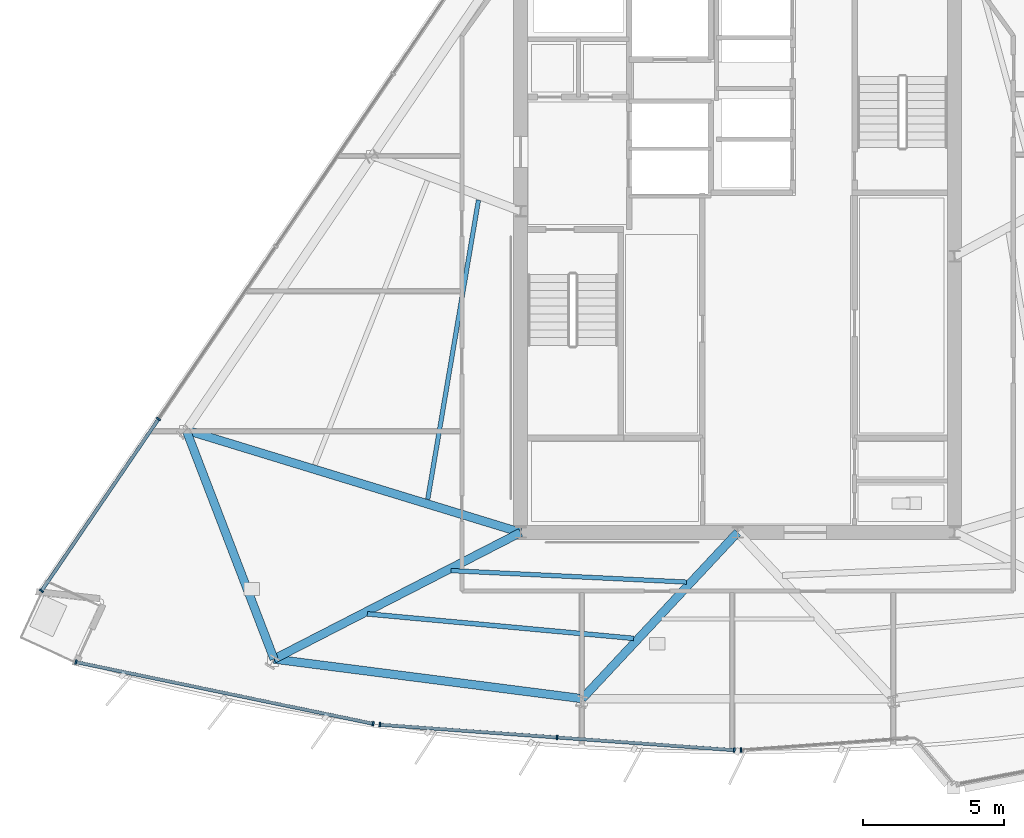
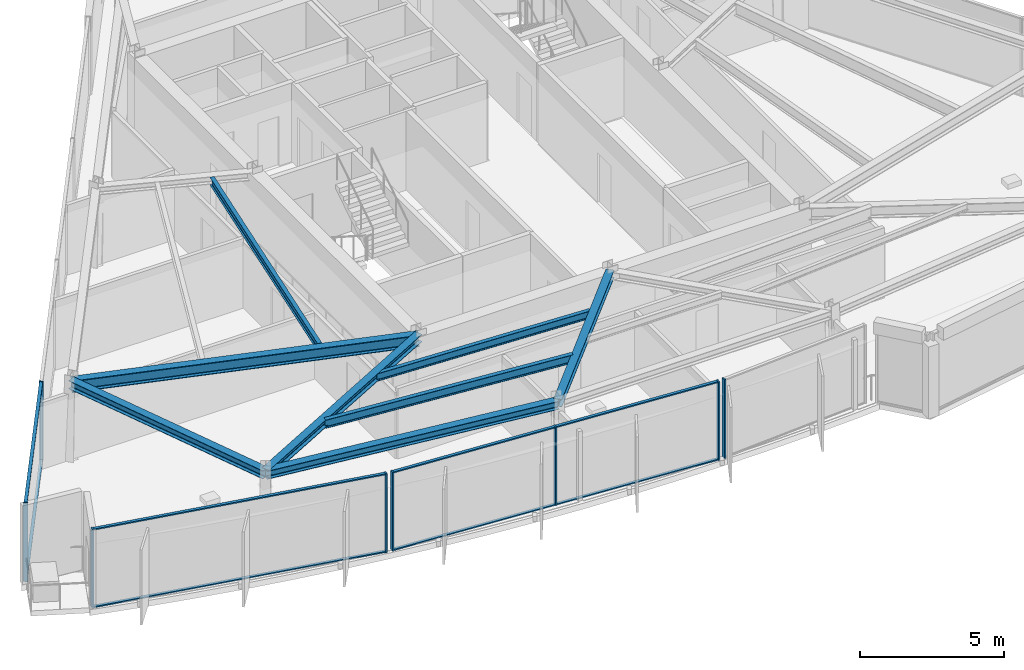
# One storey, part 2 of 14: 16 members, 8 beams, 4 elements without a shape of their own.
"""IFC4 building model written with IfcOpenShell, lengths in metres."""

import ifcopenshell
import ifcopenshell.guid

model = None  # the IFC model being written
_history = None  # IfcOwnerHistory: only IFC2X3 demands one
_inside = {}  # id of a spatial element -> (the spatial element, [elements in it])
_under = {}  # id of a project, library or spatial element -> (it, [spatial elements below it])
_declared = {}  # id of a project -> (the project, [libraries it declares])
_typed = {}  # id of a type object -> (the type object, [elements of that type])
_made_of = {}  # id of a material, layer set ... -> (it, [elements and type objects made of it])


def new_model(schema):
    """Start an empty IFC model of exactly this schema.

    Asked for "IFC4X3", IfcOpenShell would pick the latest addendum, in which some entities
    have other attributes; the version numbers below select the first issue.
    IFC2X3 requires an IfcOwnerHistory on every rooted entity: one is made here for all.
    """
    global model, _history
    if schema == "IFC4X3":
        model = ifcopenshell.file(schema_version=(4, 3, 0, 0))
    else:
        model = ifcopenshell.file(schema=schema)
    _inside.clear()
    _under.clear()
    _declared.clear()
    _typed.clear()
    _made_of.clear()
    _history = None
    if model.schema == "IFC2X3":
        org = make("IfcOrganization", Name="unknown")
        user = make(
            "IfcPersonAndOrganization",
            ThePerson=make("IfcPerson", FamilyName="unknown"),
            TheOrganization=org,
        )
        app = make(
            "IfcApplication",
            ApplicationDeveloper=org,
            Version="unknown",
            ApplicationFullName="unknown",
            ApplicationIdentifier="unknown",
        )
        _history = make(
            "IfcOwnerHistory",
            OwningUser=user,
            OwningApplication=app,
            ChangeAction="ADDED",
            CreationDate=0,
        )
    return model


def make(cls, **values):
    """One entity of the class cls with the attributes given. An attribute that is None is left unset."""
    return model.create_entity(
        cls, **{name: value for name, value in values.items() if value is not None}
    )


def rooted(cls, **values):
    """An entity with a GlobalId (a new one), such as an element, a storey or a relation."""
    return make(cls, GlobalId=ifcopenshell.guid.new(), OwnerHistory=_history, **values)


def si_unit(unit_type, name, prefix=None):
    """IfcSIUnit, for example si_unit("LENGTHUNIT", "METRE", prefix="MILLI")."""
    return make("IfcSIUnit", UnitType=unit_type, Prefix=prefix, Name=name)


def assignment(units):
    """IfcUnitAssignment: the units of a project."""
    return None if units is None else make("IfcUnitAssignment", Units=units)


def point(xyz):
    """IfcCartesianPoint."""
    return None if xyz is None else make("IfcCartesianPoint", Coordinates=xyz)


def direction(xyz):
    """IfcDirection."""
    return None if xyz is None else make("IfcDirection", DirectionRatios=xyz)


def frame(location, z_axis=None, x_axis=None):
    """IfcAxis2Placement3D, a coordinate frame: its origin and axes. An axis left out is left unset."""
    return make(
        "IfcAxis2Placement3D",
        Location=point(location),
        Axis=direction(z_axis),
        RefDirection=direction(x_axis),
    )


def frame_2d(location, x_axis=None):
    """IfcAxis2Placement2D, a coordinate frame in the plane: its origin and x axis."""
    return make(
        "IfcAxis2Placement2D", Location=point(location), RefDirection=direction(x_axis)
    )


def origin():
    """The frame at (0, 0, 0) with its axes left unset."""
    return frame((0.0, 0.0, 0.0))


def origin_2d():
    """The frame at (0, 0) in the plane with its x axis left unset."""
    return frame_2d((0.0, 0.0))


def place(relative_to, where):
    """IfcLocalPlacement: puts the frame where relative to a parent placement (None: the world)."""
    return make(
        "IfcLocalPlacement", PlacementRelTo=relative_to, RelativePlacement=where
    )


def context(
    kind, dimensions, precision=None, world=None, true_north=None, identifier=None
):
    """IfcGeometricRepresentationContext, for example the 3D "Model" context."""
    return make(
        "IfcGeometricRepresentationContext",
        ContextIdentifier=identifier,
        ContextType=kind,
        CoordinateSpaceDimension=dimensions,
        Precision=precision,
        WorldCoordinateSystem=world,
        TrueNorth=true_north,
    )


def subcontext(parent, identifier, kind, view, scale=None):
    """IfcGeometricRepresentationSubContext, for example "Body" below "Model"."""
    return make(
        "IfcGeometricRepresentationSubContext",
        ContextIdentifier=identifier,
        ContextType=kind,
        ParentContext=parent,
        TargetScale=scale,
        TargetView=view,
    )


def project(units=None, contexts=None):
    """IfcProject with its units and contexts."""
    return rooted(
        "IfcProject",
        Name="project",
        RepresentationContexts=contexts,
        UnitsInContext=assignment(units),
    )


def spatial(cls, under=None, at=None, **own):
    """A site, building, storey or space (cls), placed at a placement, below another one or the project."""
    s = rooted(cls, ObjectPlacement=at, **own)
    if under is not None:
        _under.setdefault(under.id(), (under, []))[1].append(s)
    return s


def profile(cls, at=None, kind="AREA", **sizes):
    """A parametric profile (cls). Its sizes go by their IFC names, for example OverallWidth=200.0."""
    return make(cls, ProfileType=kind, Position=at, **sizes)


def rectangle(**sizes):
    """IfcRectangleProfileDef."""
    return profile("IfcRectangleProfileDef", **sizes)


def i_section(**sizes):
    """IfcIShapeProfileDef."""
    return profile("IfcIShapeProfileDef", **sizes)


def extrude(swept, where, along, depth):
    """IfcExtrudedAreaSolid: the profile swept, set in the frame where, extruded along a direction by depth."""
    return make(
        "IfcExtrudedAreaSolid",
        SweptArea=swept,
        Position=where,
        ExtrudedDirection=direction(along),
        Depth=depth,
    )


def shape(context_of_items, identifier, shape_type, items):
    """IfcShapeRepresentation: the items that make up one representation, for example the "Body"."""
    return make(
        "IfcShapeRepresentation",
        ContextOfItems=context_of_items,
        RepresentationIdentifier=identifier,
        RepresentationType=shape_type,
        Items=items,
    )


def material(Name=None, Category=None):
    """IfcMaterial."""
    return make("IfcMaterial", Name=Name, Category=Category)


def material_profile(
    of_material, cross_section, Name=None, Category=None, Priority=None
):
    """IfcMaterialProfile: a cross section and its material."""
    return make(
        "IfcMaterialProfile",
        Name=Name,
        Material=of_material,
        Profile=cross_section,
        Priority=Priority,
        Category=Category,
    )


def profile_set(profiles, Name=None, composite=None):
    """IfcMaterialProfileSet."""
    return make(
        "IfcMaterialProfileSet",
        Name=Name,
        MaterialProfiles=profiles,
        CompositeProfile=composite,
    )


def made_of(thing, what):
    """Note that an element or type object is made of a material, layer set ...; save() writes the relation."""
    if what is not None:
        _made_of.setdefault(what.id(), (what, []))[1].append(thing)
    return thing


def type_object(cls, material=None, **own):
    """A type object (cls), such as IfcWallType, which elements share."""
    return made_of(rooted(cls, **own), material)


def element(
    cls,
    number,
    at=None,
    inside=None,
    cuts=None,
    type_object=None,
    material=None,
    context=None,
    identifier="Body",
    shape_type=None,
    held_by="IfcProductDefinitionShape",
    body=None,
    shapes=None,
    **own,
):
    """One element of the class cls, such as IfcWall. Its Tag is "e" and its number.

    at: its placement. inside: the storey or other place that contains it. cuts: it is an
    opening in that element (IfcRelVoidsElement). A single representation is given by context,
    identifier, shape_type and body (its items); several are given by shapes. held_by: the class
    of the entity that holds the representations. save() writes the other relations.
    """
    e = rooted(cls, Tag="e%d" % number, ObjectPlacement=at, **own)
    if body is not None:
        shapes = [shape(context, identifier, shape_type, body)]
    if shapes is not None:
        e.Representation = make(held_by, Representations=shapes)
    if inside is not None:
        _inside.setdefault(inside.id(), (inside, []))[1].append(e)
    if cuts is not None:
        rooted(
            "IfcRelVoidsElement", RelatingBuildingElement=cuts, RelatedOpeningElement=e
        )
    if type_object is not None:
        _typed.setdefault(type_object.id(), (type_object, []))[1].append(e)
    return made_of(e, material)


def aggregate(whole, parts):
    """IfcRelAggregates: a whole, such as a stair, and the parts it consists of."""
    return rooted("IfcRelAggregates", RelatingObject=whole, RelatedObjects=parts)


def save(model, path):
    """Write the relations noted so far, then the file.

    IfcRelAggregates (storeys below a building ...), IfcRelContainedInSpatialStructure (elements
    in a storey), IfcRelDefinesByType, IfcRelAssociatesMaterial and IfcRelDeclares: one each for
    every whole, place, type object, material and project.
    """
    for whole, parts in _under.values():
        aggregate(whole, parts)
    for where, things in _inside.values():
        rooted(
            "IfcRelContainedInSpatialStructure",
            RelatedElements=things,
            RelatingStructure=where,
        )
    for kind, things in _typed.values():
        rooted("IfcRelDefinesByType", RelatedObjects=things, RelatingType=kind)
    for what, things in _made_of.values():
        rooted("IfcRelAssociatesMaterial", RelatedObjects=things, RelatingMaterial=what)
    for by, libraries in _declared.values():
        rooted("IfcRelDeclares", RelatingContext=by, RelatedDefinitions=libraries)
    model.write(path)


model = new_model("IFC4")

# Units and contexts
model_context = context("Model", 3, precision=1e-05, world=origin(), true_north=direction((0.0, 1.0)))
body_context = subcontext(model_context, "Body", "Model", "MODEL_VIEW")
ifc_project = project(units=[si_unit("LENGTHUNIT", "METRE"), si_unit("AREAUNIT", "SQUARE_METRE"), si_unit("VOLUMEUNIT", "CUBIC_METRE"), si_unit("PLANEANGLEUNIT", "RADIAN"), si_unit("MASSUNIT", "GRAM", prefix="KILO")], contexts=[model_context])

# Site, building, storey
site_placement = place(None, origin())
site = spatial("IfcSite", under=ifc_project, at=site_placement, CompositionType="ELEMENT")
building_placement = place(site_placement, origin())
building = spatial("IfcBuilding", under=site, at=building_placement, Name="Savorim Split Tower", CompositionType="ELEMENT")
storey_placement = place(building_placement, frame((0.0, 0.0, 219.89990234375)))
storey = spatial("IfcBuildingStorey", under=building, at=storey_placement, Name="L58", CompositionType="ELEMENT", Elevation=219.89990234375)

# Beams
ifc_material_1 = material(Name="Steel S355", Category="steel")
ifc_material_profile_1 = material_profile(ifc_material_1, i_section(OverallWidth=0.159912109375, OverallDepth=0.330078125, WebThickness=0.007568359375, FlangeThickness=0.011474609375, FilletRadius=0.01806640625, at=origin_2d()), Name="IPE 330")
ifc_profile_set_1 = profile_set([ifc_material_profile_1], Name="Steel S355")
beam_type_1 = type_object("IfcBeamType", Name="BM-JST-IPE330", PredefinedType="JOIST", material=ifc_profile_set_1)
beam_1_placement = place(storey_placement, frame((-10.16455078125, -10.756103515625, 3.18505859375), z_axis=(0.998823036946, -0.04850299852, 0.0), x_axis=(0.04850299852, 0.998823036946, 0.0)))
element("IfcBeam", 1, at=beam_1_placement, inside=storey, type_object=beam_type_1, Name="L58 Secondary Floor Joist JS-02", PredefinedType="JOIST", context=body_context, shape_type="SweptSolid", body=[
    extrude(i_section(OverallWidth=0.159912109375, OverallDepth=0.330078125, WebThickness=0.007568359375, FlangeThickness=0.011474609375, FilletRadius=0.01806640625, at=origin_2d()), origin(), (0.0, 0.0, 1.0), 8.360595703125),
])
beam_2_placement = place(storey_placement, frame((-9.19384765625, 2.39501953125, 3.18505859375), z_axis=(-0.16730538617, -0.985905121073, 0.0), x_axis=(0.985905121073, -0.16730538617, 0.0)))
element("IfcBeam", 2, at=beam_2_placement, inside=storey, type_object=beam_type_1, Name="L58 Secondary Floor Joist JS-11", PredefinedType="JOIST", context=body_context, shape_type="SweptSolid", body=[
    extrude(i_section(OverallWidth=0.159912109375, OverallDepth=0.330078125, WebThickness=0.007568359375, FlangeThickness=0.011474609375, FilletRadius=0.01806640625, at=origin_2d()), origin(), (0.0, 0.0, 1.0), 10.772216796875),
])
ifc_material_profile_2 = material_profile(ifc_material_1, i_section(OverallWidth=0.169921875, OverallDepth=0.360107421875, WebThickness=0.008056640625, FlangeThickness=0.0126953125, FilletRadius=0.01806640625, at=origin_2d()), Name="IPE 360")
ifc_profile_set_2 = profile_set([ifc_material_profile_2], Name="Steel S355")
beam_type_2 = type_object("IfcBeamType", Name="BM-JST-IPE360", PredefinedType="JOIST", material=ifc_profile_set_2)
beam_3_placement = place(storey_placement, frame((-13.139404296875, -12.291015625, 3.170166015625), z_axis=(0.995796506706, -0.091593216076, 0.0), x_axis=(0.091593216076, 0.995796506706, 0.0)))
element("IfcBeam", 3, at=beam_3_placement, inside=storey, type_object=beam_type_2, Name="L58 Secondary Floor Joist JS-01", PredefinedType="JOIST", context=body_context, shape_type="SweptSolid", body=[
    extrude(i_section(OverallWidth=0.169921875, OverallDepth=0.360107421875, WebThickness=0.008056640625, FlangeThickness=0.0126953125, FilletRadius=0.01806640625, at=origin_2d()), origin(), (0.0, 0.0, 1.0), 9.49169921875),
])
ifc_material_profile_3 = material_profile(ifc_material_1, i_section(OverallWidth=0.300048828125, OverallDepth=0.320068359375, WebThickness=0.011474609375, FlangeThickness=0.0205078125, FilletRadius=0.027099609375, at=origin_2d()), Name="HEB 320")
ifc_profile_set_3 = profile_set([ifc_material_profile_3], Name="Steel S355")
beam_type_3 = type_object("IfcBeamType", Name="BM-PRI-HEB320", PredefinedType="BEAM", material=ifc_profile_set_3)
beam_4_placement = place(storey_placement, frame((-16.447998046875, -13.894287109375, 3.190185546875), z_axis=(0.889478397025, 0.45697722178, 0.0), x_axis=(-0.45697722178, 0.889478397025, 0.0)))
element("IfcBeam", 4, at=beam_4_placement, inside=storey, type_object=beam_type_3, Name="L58 Primary Floor Girder RG-01", PredefinedType="BEAM", context=body_context, shape_type="SweptSolid", body=[
    extrude(i_section(OverallWidth=0.300048828125, OverallDepth=0.320068359375, WebThickness=0.011474609375, FlangeThickness=0.0205078125, FilletRadius=0.027099609375, at=origin_2d()), origin(), (0.0, 0.0, 1.0), 9.8349609375),
])
beam_5_placement = place(storey_placement, frame((-5.5126953125, -15.29833984375, 3.190185546875), z_axis=(0.682813709527, 0.73059252534, 0.0), x_axis=(-0.73059252534, 0.682813709527, 0.0)))
element("IfcBeam", 5, at=beam_5_placement, inside=storey, type_object=beam_type_3, Name="L58 Primary Floor Girder RG-02", PredefinedType="BEAM", context=body_context, shape_type="SweptSolid", body=[
    extrude(i_section(OverallWidth=0.300048828125, OverallDepth=0.320068359375, WebThickness=0.011474609375, FlangeThickness=0.0205078125, FilletRadius=0.027099609375, at=origin_2d()), origin(), (0.0, 0.0, 1.0), 8.073486328125),
])
ifc_material_profile_4 = material_profile(ifc_material_1, i_section(OverallWidth=0.300048828125, OverallDepth=0.5, WebThickness=0.014404296875, FlangeThickness=0.028076171875, FilletRadius=0.027099609375, at=origin_2d()), Name="HEB 500")
ifc_profile_set_4 = profile_set([ifc_material_profile_4], Name="Steel S355")
beam_type_4 = type_object("IfcBeamType", Name="BM-PRI-HEB500", PredefinedType="BEAM", material=ifc_profile_set_4)
beam_6_placement = place(storey_placement, frame((-19.56689453125, -5.767822265625, 3.10009765625), z_axis=(0.956214787215, -0.292665817463, 0.0), x_axis=(0.292665817463, 0.956214787215, 0.0)))
element("IfcBeam", 6, at=beam_6_placement, inside=storey, type_object=beam_type_4, Name="L58 Primary Floor Girder RG-10", PredefinedType="BEAM", context=body_context, shape_type="SweptSolid", body=[
    extrude(i_section(OverallWidth=0.300048828125, OverallDepth=0.5, WebThickness=0.014404296875, FlangeThickness=0.028076171875, FilletRadius=0.027099609375, at=origin_2d()), origin(), (0.0, 0.0, 1.0), 12.410400390625),
])
ifc_material_profile_5 = material_profile(ifc_material_1, i_section(OverallWidth=0.300048828125, OverallDepth=0.35009765625, WebThickness=0.010009765625, FlangeThickness=0.017578125, FilletRadius=0.027099609375, at=origin_2d()), Name="HEA 360")
ifc_profile_set_5 = profile_set([ifc_material_profile_5], Name="Steel S355")
beam_type_5 = type_object("IfcBeamType", Name="BM-SPN-HEA360", PredefinedType="SPANDREL", material=ifc_profile_set_5)
beam_7_placement = place(storey_placement, frame((-16.447998046875, -13.894287109375, 3.175048828125), z_axis=(0.991857726894, -0.127350891638, 0.0), x_axis=(0.127350891638, 0.991857726894, 0.0)))
element("IfcBeam", 7, at=beam_7_placement, inside=storey, type_object=beam_type_5, Name="L58 Perimeter Spandrel Beam 1", PredefinedType="SPANDREL", context=body_context, shape_type="SweptSolid", body=[
    extrude(i_section(OverallWidth=0.300048828125, OverallDepth=0.35009765625, WebThickness=0.010009765625, FlangeThickness=0.017578125, FilletRadius=0.027099609375, at=origin_2d()), origin(), (0.0, 0.0, 1.0), 11.025146484375),
])
beam_8_placement = place(storey_placement, frame((-19.56689453125, -5.767822265625, 3.175048828125), z_axis=(0.358311765923, -0.93360199143, 0.0), x_axis=(0.93360199143, 0.358311765923, 0.0)))
element("IfcBeam", 8, at=beam_8_placement, inside=storey, type_object=beam_type_5, Name="L58 Perimeter Spandrel Beam 10", PredefinedType="SPANDREL", context=body_context, shape_type="SweptSolid", body=[
    extrude(i_section(OverallWidth=0.300048828125, OverallDepth=0.35009765625, WebThickness=0.010009765625, FlangeThickness=0.017578125, FilletRadius=0.027099609375, at=origin_2d()), origin(), (0.0, 0.0, 1.0), 8.704345703125),
])

# Curtain wall, members
ifc_material_2 = material(Name="Dark Ceramic-Fritted Insulated Glass", Category="glass")
curtain_wall_type = type_object("IfcCurtainWallType", Name="CW-TWR-FRIT-B", PredefinedType="NOTDEFINED", material=ifc_material_2)
curtain_wall_1_placement = place(storey_placement, origin())
curtain_wall_1 = element("IfcCurtainWall", 9, at=curtain_wall_1_placement, inside=storey, type_object=curtain_wall_type, Name="L58 Curtain Wall CW-L58-SF1A", PredefinedType="NOTDEFINED")
ifc_material_3 = material(Name="Charcoal Anodised Aluminium", Category="aluminium")
ifc_material_profile_6 = material_profile(ifc_material_3, rectangle(XDim=0.159912109375, YDim=0.06005859375, at=origin_2d()), Name="ALU-M 160x60")
ifc_profile_set_6 = profile_set([ifc_material_profile_6], Name="Charcoal Anodised Aluminium")
member_type_1 = type_object("IfcMemberType", Name="CWM-160x60", PredefinedType="MULLION", material=ifc_profile_set_6)
member_1_placement = place(storey_placement, frame((-23.47705078125, -14.0, 0.0), z_axis=(0.0, 0.0, 1.0), x_axis=(0.203214786352, 0.979134184169, 0.0)))
member_1 = element("IfcMember", 10, at=member_1_placement, type_object=member_type_1, Name="CW-03 mullion 1", PredefinedType="MULLION", context=body_context, shape_type="SweptSolid", body=[
    extrude(rectangle(XDim=0.159912109375, YDim=0.06005859375, at=origin_2d()), origin(), (0.0, 0.0, 1.0), 3.35009765625),
])
member_2_placement = place(storey_placement, frame((-12.933349609375, -16.1884765625, 0.0), z_axis=(0.0, 0.0, 1.0), x_axis=(0.203214786352, 0.979134184169, 0.0)))
member_2 = element("IfcMember", 11, at=member_2_placement, type_object=member_type_1, Name="CW-03 mullion 2", PredefinedType="MULLION", context=body_context, shape_type="SweptSolid", body=[
    extrude(rectangle(XDim=0.159912109375, YDim=0.06005859375, at=origin_2d()), origin(), (0.0, 0.0, 1.0), 3.35009765625),
])

curtain_wall_2_placement = place(storey_placement, origin())
curtain_wall_2 = element("IfcCurtainWall", 12, at=curtain_wall_2_placement, inside=storey, type_object=curtain_wall_type, Name="L58 Curtain Wall CW-L58-SF2A", PredefinedType="NOTDEFINED")
member_3_placement = place(storey_placement, frame((-12.6923828125, -16.221923828125, 0.0), z_axis=(0.0, 0.0, 1.0), x_axis=(0.071560189997, 0.997436283282, 0.0)))
member_3 = element("IfcMember", 13, at=member_3_placement, type_object=member_type_1, Name="CW-03 mullion 1", PredefinedType="MULLION", context=body_context, shape_type="SweptSolid", body=[
    extrude(rectangle(XDim=0.159912109375, YDim=0.06005859375, at=origin_2d()), origin(), (0.0, 0.0, 1.0), 3.35009765625),
])
member_4_placement = place(storey_placement, frame((-6.40673828125, -16.6728515625, 0.0), z_axis=(0.0, 0.0, 1.0), x_axis=(0.071560189997, 0.997436283282, 0.0)))
member_4 = element("IfcMember", 14, at=member_4_placement, type_object=member_type_1, Name="CW-03 mullion 2", PredefinedType="MULLION", context=body_context, shape_type="SweptSolid", body=[
    extrude(rectangle(XDim=0.159912109375, YDim=0.06005859375, at=origin_2d()), origin(), (0.0, 0.0, 1.0), 3.35009765625),
])
member_5_placement = place(storey_placement, frame((-0.12109375, -17.123779296875, 0.0), z_axis=(0.0, 0.0, 1.0), x_axis=(0.071560189997, 0.997436283282, 0.0)))
member_5 = element("IfcMember", 15, at=member_5_placement, type_object=member_type_1, Name="CW-03 mullion 3", PredefinedType="MULLION", context=body_context, shape_type="SweptSolid", body=[
    extrude(rectangle(XDim=0.159912109375, YDim=0.06005859375, at=origin_2d()), origin(), (0.0, 0.0, 1.0), 3.35009765625),
])

# Curtain wall, member
curtain_wall_3_placement = place(storey_placement, origin())
curtain_wall_3 = element("IfcCurtainWall", 16, at=curtain_wall_3_placement, inside=storey, type_object=curtain_wall_type, Name="L58 Curtain Wall CW-L58-SF3A", PredefinedType="NOTDEFINED")
member_6_placement = place(storey_placement, frame((0.12109375, -17.123779296875, 0.0), z_axis=(0.0, 0.0, 1.0), x_axis=(-0.071567603964, 0.997435751346, 0.0)))
member_6 = element("IfcMember", 17, at=member_6_placement, type_object=member_type_1, Name="CW-03 mullion 1", PredefinedType="MULLION", context=body_context, shape_type="SweptSolid", body=[
    extrude(rectangle(XDim=0.159912109375, YDim=0.06005859375, at=origin_2d()), origin(), (0.0, 0.0, 1.0), 3.35009765625),
])
aggregate(curtain_wall_3, [member_6])

# Curtain wall, members
curtain_wall_4_placement = place(storey_placement, origin())
curtain_wall_4 = element("IfcCurtainWall", 18, at=curtain_wall_4_placement, inside=storey, type_object=curtain_wall_type, Name="L58 Curtain Wall CW-L58-WEST", PredefinedType="NOTDEFINED")
member_7_placement = place(storey_placement, frame((-20.5498046875, -5.375732421875, 0.0), z_axis=(0.0, 0.0, 1.0), x_axis=(0.826820024782, -0.562466573779, 0.0)))
member_7 = element("IfcMember", 19, at=member_7_placement, type_object=member_type_1, Name="CW-03 mullion 4", PredefinedType="MULLION", context=body_context, shape_type="SweptSolid", body=[
    extrude(rectangle(XDim=0.159912109375, YDim=0.06005859375, at=origin_2d()), origin(), (0.0, 0.0, 1.0), 3.35009765625),
])
member_8_placement = place(storey_placement, frame((-24.699462890625, -11.4755859375, 0.0), z_axis=(0.0, 0.0, 1.0), x_axis=(0.826820024782, -0.562466573779, 0.0)))
member_8 = element("IfcMember", 20, at=member_8_placement, type_object=member_type_1, Name="CW-03 mullion 5", PredefinedType="MULLION", context=body_context, shape_type="SweptSolid", body=[
    extrude(rectangle(XDim=0.159912109375, YDim=0.06005859375, at=origin_2d()), origin(), (0.0, 0.0, 1.0), 3.35009765625),
])

# Member
ifc_material_profile_7 = material_profile(ifc_material_3, rectangle(XDim=0.1201171875, YDim=0.050048828125, at=origin_2d()), Name="ALU-T 120x50")
ifc_profile_set_7 = profile_set([ifc_material_profile_7], Name="Charcoal Anodised Aluminium")
member_type_2 = type_object("IfcMemberType", Name="CWT-120x50", PredefinedType="USERDEFINED", material=ifc_profile_set_7)
member_9_placement = place(storey_placement, frame((-23.44775390625, -14.006103515625, 0.025146484375), z_axis=(0.979131697612, -0.203226766771, 0.0), x_axis=(0.203226766771, 0.979131697612, 0.0)))
member_9 = element("IfcMember", 21, at=member_9_placement, type_object=member_type_2, Name="CW-03 transom 1.1", ObjectType="TRANSOM", PredefinedType="USERDEFINED", context=body_context, shape_type="SweptSolid", body=[
    extrude(rectangle(XDim=0.1201171875, YDim=0.050048828125, at=origin_2d()), origin(), (0.0, 0.0, 1.0), 10.70849609375),
])

member_10_placement = place(storey_placement, frame((-23.44775390625, -14.006103515625, 3.3251953125), z_axis=(0.979131697612, -0.203226766771, 0.0), x_axis=(0.203226766771, 0.979131697612, 0.0)))
member_10 = element("IfcMember", 22, at=member_10_placement, type_object=member_type_2, Name="CW-03 transom 1.2", ObjectType="TRANSOM", PredefinedType="USERDEFINED", context=body_context, shape_type="SweptSolid", body=[
    extrude(rectangle(XDim=0.1201171875, YDim=0.050048828125, at=origin_2d()), origin(), (0.0, 0.0, 1.0), 10.70849609375),
])

aggregate(curtain_wall_1, [member_1, member_2, member_9, member_10])

member_11_placement = place(storey_placement, frame((-12.662353515625, -16.22412109375, 0.025146484375), z_axis=(0.99743780974, -0.071538910396, 0.0), x_axis=(0.071538910396, 0.99743780974, 0.0)))
member_11 = element("IfcMember", 23, at=member_11_placement, type_object=member_type_2, Name="CW-03 transom 1.1", ObjectType="TRANSOM", PredefinedType="USERDEFINED", context=body_context, shape_type="SweptSolid", body=[
    extrude(rectangle(XDim=0.1201171875, YDim=0.050048828125, at=origin_2d()), origin(), (0.0, 0.0, 1.0), 6.241943359375),
])

member_12_placement = place(storey_placement, frame((-12.662353515625, -16.22412109375, 3.3251953125), z_axis=(0.99743780974, -0.071538910396, 0.0), x_axis=(0.071538910396, 0.99743780974, 0.0)))
member_12 = element("IfcMember", 24, at=member_12_placement, type_object=member_type_2, Name="CW-03 transom 1.2", ObjectType="TRANSOM", PredefinedType="USERDEFINED", context=body_context, shape_type="SweptSolid", body=[
    extrude(rectangle(XDim=0.1201171875, YDim=0.050048828125, at=origin_2d()), origin(), (0.0, 0.0, 1.0), 6.241943359375),
])

member_13_placement = place(storey_placement, frame((-6.376708984375, -16.675048828125, 0.025146484375), z_axis=(0.997434817603, -0.071580616322, 0.0), x_axis=(0.071580616322, 0.997434817603, 0.0)))
member_13 = element("IfcMember", 25, at=member_13_placement, type_object=member_type_2, Name="CW-03 transom 2.1", ObjectType="TRANSOM", PredefinedType="USERDEFINED", context=body_context, shape_type="SweptSolid", body=[
    extrude(rectangle(XDim=0.1201171875, YDim=0.050048828125, at=origin_2d()), origin(), (0.0, 0.0, 1.0), 6.24169921875),
])

member_14_placement = place(storey_placement, frame((-6.376708984375, -16.675048828125, 3.3251953125), z_axis=(0.997434817603, -0.071580616322, 0.0), x_axis=(0.071580616322, 0.997434817603, 0.0)))
member_14 = element("IfcMember", 26, at=member_14_placement, type_object=member_type_2, Name="CW-03 transom 2.2", ObjectType="TRANSOM", PredefinedType="USERDEFINED", context=body_context, shape_type="SweptSolid", body=[
    extrude(rectangle(XDim=0.1201171875, YDim=0.050048828125, at=origin_2d()), origin(), (0.0, 0.0, 1.0), 6.24169921875),
])

aggregate(curtain_wall_2, [member_3, member_4, member_5, member_11, member_12, member_13, member_14])

member_15_placement = place(storey_placement, frame((-20.566650390625, -5.400390625, 0.025146484375), z_axis=(-0.562475185049, -0.826814166669, 0.0), x_axis=(0.826814166669, -0.562475185049, 0.0)))
member_15 = element("IfcMember", 27, at=member_15_placement, type_object=member_type_2, Name="CW-03 transom 4.1", ObjectType="TRANSOM", PredefinedType="USERDEFINED", context=body_context, shape_type="SweptSolid", body=[
    extrude(rectangle(XDim=0.1201171875, YDim=0.050048828125, at=origin_2d()), origin(), (0.0, 0.0, 1.0), 7.317626953125),
])

member_16_placement = place(storey_placement, frame((-20.566650390625, -5.400390625, 3.3251953125), z_axis=(-0.562475185049, -0.826814166669, 0.0), x_axis=(0.826814166669, -0.562475185049, 0.0)))
member_16 = element("IfcMember", 28, at=member_16_placement, type_object=member_type_2, Name="CW-03 transom 4.2", ObjectType="TRANSOM", PredefinedType="USERDEFINED", context=body_context, shape_type="SweptSolid", body=[
    extrude(rectangle(XDim=0.1201171875, YDim=0.050048828125, at=origin_2d()), origin(), (0.0, 0.0, 1.0), 7.317626953125),
])

aggregate(curtain_wall_4, [member_7, member_8, member_15, member_16])

save(model, "model.ifc")
